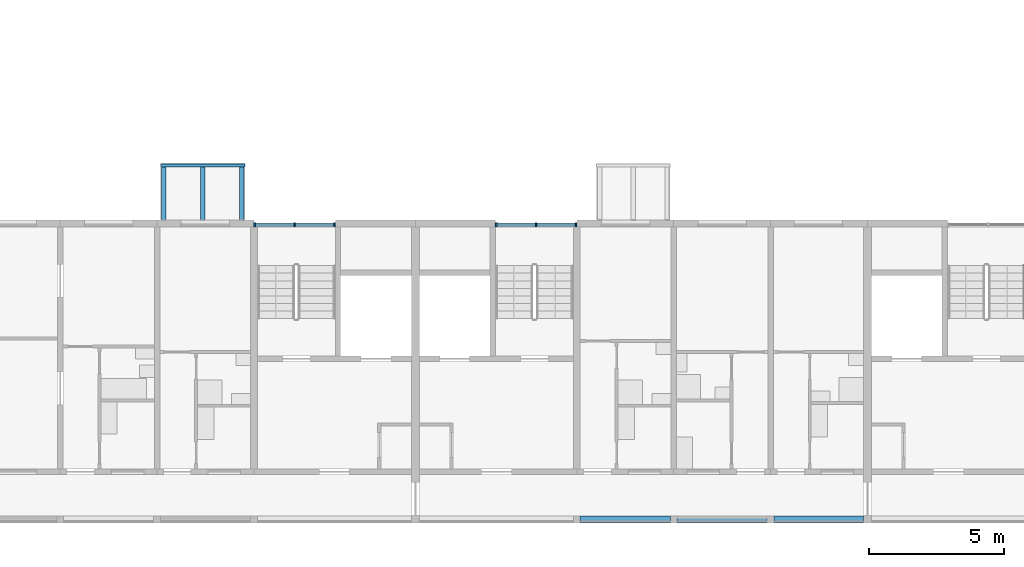
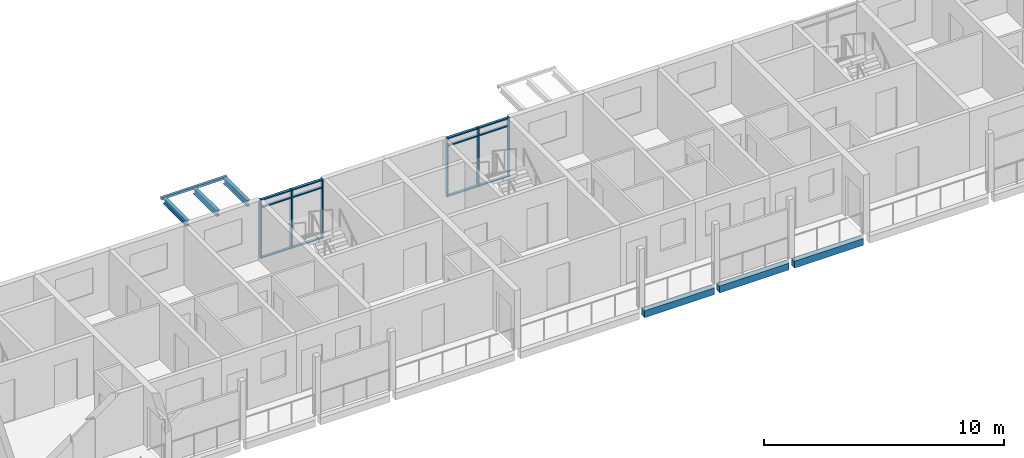
# One storey, part 17 of 94: 18 members, 7 beams, 2 elements without a shape of their own.
"""IFC4 building model written with IfcOpenShell, lengths in metres."""

from ifc_helpers import new_model, si_unit, direction, frame, origin, origin_2d, place, context, subcontext, project, spatial, rectangle, hollow_rectangle, i_section, extrude, material, material_profile, profile_set, type_object, element, aggregate, save


model = new_model("IFC4")

# Units and contexts
model_context = context("Model", 3, precision=1e-05, world=origin(), true_north=direction((0.0, 1.0)))
body_context = subcontext(model_context, "Body", "Model", "MODEL_VIEW")
ifc_project = project(units=[si_unit("LENGTHUNIT", "METRE"), si_unit("AREAUNIT", "SQUARE_METRE"), si_unit("VOLUMEUNIT", "CUBIC_METRE"), si_unit("PLANEANGLEUNIT", "RADIAN"), si_unit("MASSUNIT", "GRAM", prefix="KILO")], contexts=[model_context])

# Site, building, storey
site_placement = place(None, origin())
site = spatial("IfcSite", under=ifc_project, at=site_placement, CompositionType="ELEMENT")
building_placement = place(site_placement, origin())
building = spatial("IfcBuilding", under=site, at=building_placement, Name="Ridgestep Commons", CompositionType="ELEMENT")
storey_placement = place(building_placement, frame((0.0, 0.0, 21.0)))
storey = spatial("IfcBuildingStorey", under=building, at=storey_placement, Name="L07", CompositionType="ELEMENT", Elevation=21.0)

# Beams
ifc_material_1 = material(Name="Precast concrete C40/50", Category="concrete")
ifc_material_profile_1 = material_profile(ifc_material_1, rectangle(XDim=0.25, YDim=0.35009765625, at=origin_2d()), Name="PC 250x350")
ifc_profile_set_1 = profile_set([ifc_material_profile_1], Name="Precast concrete C40/50")
beam_type_1 = type_object("IfcBeamType", Name="Loggia edge beam 250 x 350", PredefinedType="SPANDREL", material=ifc_profile_set_1)
beam_1_placement = place(storey_placement, frame((220.125, 11.875, -0.375), z_axis=(1.0, 0.0, 0.0), x_axis=(0.0, 1.0, 0.0)))
element("IfcBeam", 1, at=beam_1_placement, inside=storey, type_object=beam_type_1, Name="Loggia edge beam D5T3 L07", PredefinedType="SPANDREL", context=body_context, shape_type="SweptSolid", body=[
    extrude(rectangle(XDim=0.25, YDim=0.35009765625, at=origin_2d()), origin(), (0.0, 0.0, 1.0), 3.35009765625),
])
beam_2_placement = place(storey_placement, frame((223.72509765625, 11.875, -0.375), z_axis=(1.0, 0.0, 0.0), x_axis=(0.0, 1.0, 0.0)))
element("IfcBeam", 2, at=beam_2_placement, inside=storey, type_object=beam_type_1, Name="Loggia edge beam D5T2 L07", PredefinedType="SPANDREL", context=body_context, shape_type="SweptSolid", body=[
    extrude(rectangle(XDim=0.25, YDim=0.35009765625, at=origin_2d()), origin(), (0.0, 0.0, 1.0), 3.349853515625),
])
beam_3_placement = place(storey_placement, frame((227.324951171875, 11.875, -0.375), z_axis=(1.0, 0.0, 0.0), x_axis=(0.0, 1.0, 0.0)))
element("IfcBeam", 3, at=beam_3_placement, inside=storey, type_object=beam_type_1, Name="Loggia edge beam D5T1 L07", PredefinedType="SPANDREL", context=body_context, shape_type="SweptSolid", body=[
    extrude(rectangle(XDim=0.25, YDim=0.35009765625, at=origin_2d()), origin(), (0.0, 0.0, 1.0), 3.324951171875),
])

# Curtain wall, members
ifc_material_2 = material(Name="Aluminium 6063-T6 and glass", Category="aluminium")
curtain_wall_type = type_object("IfcCurtainWallType", Name="Curtain wall stair strip", PredefinedType="NOTDEFINED", material=ifc_material_2)
curtain_wall_1_placement = place(storey_placement, origin())
curtain_wall_1 = element("IfcCurtainWall", 4, at=curtain_wall_1_placement, inside=storey, type_object=curtain_wall_type, Name="Curtain wall D4C level 07", PredefinedType="NOTDEFINED")
ifc_material_3 = material(Name="Aluminium 6063-T6", Category="aluminium")
ifc_material_profile_2 = material_profile(ifc_material_3, rectangle(XDim=0.159912109375, YDim=0.06005859375, at=origin_2d()), Name="Mullion 60 x 160")
ifc_profile_set_2 = profile_set([ifc_material_profile_2], Name="Aluminium 6063-T6")
member_type_1 = type_object("IfcMemberType", Name="Mullion 60 x 160", PredefinedType="MULLION", material=ifc_profile_set_2)
member_1_placement = place(storey_placement, frame((208.030029296875, 22.830078125, 0.0), z_axis=(0.0, 0.0, 1.0), x_axis=(0.0, 1.0, 0.0)))
member_1 = element("IfcMember", 5, at=member_1_placement, type_object=member_type_1, Name="CW1 mullion 1", PredefinedType="MULLION", context=body_context, shape_type="SweptSolid", body=[
    extrude(rectangle(XDim=0.159912109375, YDim=0.06005859375, at=origin_2d()), origin(), (0.0, 0.0, 1.0), 3.0),
])
member_2_placement = place(storey_placement, frame((209.512451171875, 22.830078125, 0.0), z_axis=(0.0, 0.0, 1.0), x_axis=(0.0, 1.0, 0.0)))
member_2 = element("IfcMember", 6, at=member_2_placement, type_object=member_type_1, Name="CW1 mullion 2", PredefinedType="MULLION", context=body_context, shape_type="SweptSolid", body=[
    extrude(rectangle(XDim=0.159912109375, YDim=0.06005859375, at=origin_2d()), origin(), (0.0, 0.0, 1.0), 3.0),
])
member_3_placement = place(storey_placement, frame((210.9951171875, 22.830078125, 0.0), z_axis=(0.0, 0.0, 1.0), x_axis=(0.0, 1.0, 0.0)))
member_3 = element("IfcMember", 7, at=member_3_placement, type_object=member_type_1, Name="CW1 mullion 3", PredefinedType="MULLION", context=body_context, shape_type="SweptSolid", body=[
    extrude(rectangle(XDim=0.159912109375, YDim=0.06005859375, at=origin_2d()), origin(), (0.0, 0.0, 1.0), 3.0),
])

curtain_wall_2_placement = place(storey_placement, origin())
curtain_wall_2 = element("IfcCurtainWall", 8, at=curtain_wall_2_placement, inside=storey, type_object=curtain_wall_type, Name="Curtain wall D5C level 07", PredefinedType="NOTDEFINED")
member_4_placement = place(storey_placement, frame((217.0048828125, 22.830078125, 0.0), z_axis=(0.0, 0.0, 1.0), x_axis=(0.0, 1.0, 0.0)))
member_4 = element("IfcMember", 9, at=member_4_placement, type_object=member_type_1, Name="CW1 mullion 1", PredefinedType="MULLION", context=body_context, shape_type="SweptSolid", body=[
    extrude(rectangle(XDim=0.159912109375, YDim=0.06005859375, at=origin_2d()), origin(), (0.0, 0.0, 1.0), 3.0),
])
member_5_placement = place(storey_placement, frame((218.487548828125, 22.830078125, 0.0), z_axis=(0.0, 0.0, 1.0), x_axis=(0.0, 1.0, 0.0)))
member_5 = element("IfcMember", 10, at=member_5_placement, type_object=member_type_1, Name="CW1 mullion 2", PredefinedType="MULLION", context=body_context, shape_type="SweptSolid", body=[
    extrude(rectangle(XDim=0.159912109375, YDim=0.06005859375, at=origin_2d()), origin(), (0.0, 0.0, 1.0), 3.0),
])
member_6_placement = place(storey_placement, frame((219.969970703125, 22.830078125, 0.0), z_axis=(0.0, 0.0, 1.0), x_axis=(0.0, 1.0, 0.0)))
member_6 = element("IfcMember", 11, at=member_6_placement, type_object=member_type_1, Name="CW1 mullion 3", PredefinedType="MULLION", context=body_context, shape_type="SweptSolid", body=[
    extrude(rectangle(XDim=0.159912109375, YDim=0.06005859375, at=origin_2d()), origin(), (0.0, 0.0, 1.0), 3.0),
])

# Member
ifc_material_4 = material(Name="Aluminium 6063-T6", Category="aluminium")
ifc_material_profile_3 = material_profile(ifc_material_4, rectangle(XDim=0.1201171875, YDim=0.06005859375, at=origin_2d()), Name="Transom 60 x 120")
ifc_profile_set_3 = profile_set([ifc_material_profile_3], Name="Aluminium 6063-T6")
member_type_2 = type_object("IfcMemberType", Name="Transom 60 x 120", PredefinedType="USERDEFINED", material=ifc_profile_set_3)
member_7_placement = place(storey_placement, frame((208.06005859375, 22.830078125, 0.030029296875), z_axis=(1.0, 0.0, 0.0), x_axis=(0.0, 1.0, 0.0)))
member_7 = element("IfcMember", 12, at=member_7_placement, type_object=member_type_2, Name="CW1 transom 1.1", ObjectType="TRANSOM", PredefinedType="USERDEFINED", context=body_context, shape_type="SweptSolid", body=[
    extrude(rectangle(XDim=0.1201171875, YDim=0.06005859375, at=origin_2d()), origin(), (0.0, 0.0, 1.0), 1.42236328125),
])

member_8_placement = place(storey_placement, frame((208.06005859375, 22.830078125, 2.590087890625), z_axis=(1.0, 0.0, 0.0), x_axis=(0.0, 1.0, 0.0)))
member_8 = element("IfcMember", 13, at=member_8_placement, type_object=member_type_2, Name="CW1 transom 1.2", ObjectType="TRANSOM", PredefinedType="USERDEFINED", context=body_context, shape_type="SweptSolid", body=[
    extrude(rectangle(XDim=0.1201171875, YDim=0.06005859375, at=origin_2d()), origin(), (0.0, 0.0, 1.0), 1.42236328125),
])

member_9_placement = place(storey_placement, frame((208.06005859375, 22.830078125, 2.969970703125), z_axis=(1.0, 0.0, 0.0), x_axis=(0.0, 1.0, 0.0)))
member_9 = element("IfcMember", 14, at=member_9_placement, type_object=member_type_2, Name="CW1 transom 1.3", ObjectType="TRANSOM", PredefinedType="USERDEFINED", context=body_context, shape_type="SweptSolid", body=[
    extrude(rectangle(XDim=0.1201171875, YDim=0.06005859375, at=origin_2d()), origin(), (0.0, 0.0, 1.0), 1.42236328125),
])

member_10_placement = place(storey_placement, frame((209.54248046875, 22.830078125, 0.030029296875), z_axis=(1.0, 0.0, 0.0), x_axis=(0.0, 1.0, 0.0)))
member_10 = element("IfcMember", 15, at=member_10_placement, type_object=member_type_2, Name="CW1 transom 2.1", ObjectType="TRANSOM", PredefinedType="USERDEFINED", context=body_context, shape_type="SweptSolid", body=[
    extrude(rectangle(XDim=0.1201171875, YDim=0.06005859375, at=origin_2d()), origin(), (0.0, 0.0, 1.0), 1.422607421875),
])

member_11_placement = place(storey_placement, frame((209.54248046875, 22.830078125, 2.590087890625), z_axis=(1.0, 0.0, 0.0), x_axis=(0.0, 1.0, 0.0)))
member_11 = element("IfcMember", 16, at=member_11_placement, type_object=member_type_2, Name="CW1 transom 2.2", ObjectType="TRANSOM", PredefinedType="USERDEFINED", context=body_context, shape_type="SweptSolid", body=[
    extrude(rectangle(XDim=0.1201171875, YDim=0.06005859375, at=origin_2d()), origin(), (0.0, 0.0, 1.0), 1.422607421875),
])

member_12_placement = place(storey_placement, frame((209.54248046875, 22.830078125, 2.969970703125), z_axis=(1.0, 0.0, 0.0), x_axis=(0.0, 1.0, 0.0)))
member_12 = element("IfcMember", 17, at=member_12_placement, type_object=member_type_2, Name="CW1 transom 2.3", ObjectType="TRANSOM", PredefinedType="USERDEFINED", context=body_context, shape_type="SweptSolid", body=[
    extrude(rectangle(XDim=0.1201171875, YDim=0.06005859375, at=origin_2d()), origin(), (0.0, 0.0, 1.0), 1.422607421875),
])

aggregate(curtain_wall_1, [member_1, member_2, member_3, member_7, member_8, member_9, member_10, member_11, member_12])

member_13_placement = place(storey_placement, frame((217.034912109375, 22.830078125, 0.030029296875), z_axis=(1.0, 0.0, 0.0), x_axis=(0.0, 1.0, 0.0)))
member_13 = element("IfcMember", 18, at=member_13_placement, type_object=member_type_2, Name="CW1 transom 1.1", ObjectType="TRANSOM", PredefinedType="USERDEFINED", context=body_context, shape_type="SweptSolid", body=[
    extrude(rectangle(XDim=0.1201171875, YDim=0.06005859375, at=origin_2d()), origin(), (0.0, 0.0, 1.0), 1.422607421875),
])

member_14_placement = place(storey_placement, frame((217.034912109375, 22.830078125, 2.590087890625), z_axis=(1.0, 0.0, 0.0), x_axis=(0.0, 1.0, 0.0)))
member_14 = element("IfcMember", 19, at=member_14_placement, type_object=member_type_2, Name="CW1 transom 1.2", ObjectType="TRANSOM", PredefinedType="USERDEFINED", context=body_context, shape_type="SweptSolid", body=[
    extrude(rectangle(XDim=0.1201171875, YDim=0.06005859375, at=origin_2d()), origin(), (0.0, 0.0, 1.0), 1.422607421875),
])

member_15_placement = place(storey_placement, frame((217.034912109375, 22.830078125, 2.969970703125), z_axis=(1.0, 0.0, 0.0), x_axis=(0.0, 1.0, 0.0)))
member_15 = element("IfcMember", 20, at=member_15_placement, type_object=member_type_2, Name="CW1 transom 1.3", ObjectType="TRANSOM", PredefinedType="USERDEFINED", context=body_context, shape_type="SweptSolid", body=[
    extrude(rectangle(XDim=0.1201171875, YDim=0.06005859375, at=origin_2d()), origin(), (0.0, 0.0, 1.0), 1.422607421875),
])

member_16_placement = place(storey_placement, frame((218.517578125, 22.830078125, 0.030029296875), z_axis=(1.0, 0.0, 0.0), x_axis=(0.0, 1.0, 0.0)))
member_16 = element("IfcMember", 21, at=member_16_placement, type_object=member_type_2, Name="CW1 transom 2.1", ObjectType="TRANSOM", PredefinedType="USERDEFINED", context=body_context, shape_type="SweptSolid", body=[
    extrude(rectangle(XDim=0.1201171875, YDim=0.06005859375, at=origin_2d()), origin(), (0.0, 0.0, 1.0), 1.42236328125),
])

member_17_placement = place(storey_placement, frame((218.517578125, 22.830078125, 2.590087890625), z_axis=(1.0, 0.0, 0.0), x_axis=(0.0, 1.0, 0.0)))
member_17 = element("IfcMember", 22, at=member_17_placement, type_object=member_type_2, Name="CW1 transom 2.2", ObjectType="TRANSOM", PredefinedType="USERDEFINED", context=body_context, shape_type="SweptSolid", body=[
    extrude(rectangle(XDim=0.1201171875, YDim=0.06005859375, at=origin_2d()), origin(), (0.0, 0.0, 1.0), 1.42236328125),
])

member_18_placement = place(storey_placement, frame((218.517578125, 22.830078125, 2.969970703125), z_axis=(1.0, 0.0, 0.0), x_axis=(0.0, 1.0, 0.0)))
member_18 = element("IfcMember", 23, at=member_18_placement, type_object=member_type_2, Name="CW1 transom 2.3", ObjectType="TRANSOM", PredefinedType="USERDEFINED", context=body_context, shape_type="SweptSolid", body=[
    extrude(rectangle(XDim=0.1201171875, YDim=0.06005859375, at=origin_2d()), origin(), (0.0, 0.0, 1.0), 1.42236328125),
])

aggregate(curtain_wall_2, [member_4, member_5, member_6, member_13, member_14, member_15, member_16, member_17, member_18])

# Beams
ifc_material_5 = material(Name="Weathering steel S355J2W", Category="steel")
ifc_material_profile_4 = material_profile(ifc_material_5, i_section(OverallWidth=0.1650390625, OverallDepth=0.303466796875, WebThickness=0.006103515625, FlangeThickness=0.01025390625, FilletRadius=0.0087890625, at=origin_2d()), Name="UB 305x165x40")
ifc_profile_set_4 = profile_set([ifc_material_profile_4], Name="Weathering steel S355J2W")
beam_type_2 = type_object("IfcBeamType", Name="Tray arm UB 305x165x40", PredefinedType="BEAM", material=ifc_profile_set_4)
for number, where, z_axis, x_axis, name in (
    (24, (204.64990234375, 23.014892578125, 2.83837890625), (0.0, 1.0, 0.0), (-1.0, 0.0, 0.0), "Tray arm D4T3-08.1"),
    (25, (206.10009765625, 23.014892578125, 2.83837890625), (0.0, 1.0, 0.0), (-1.0, 0.0, 0.0), "Tray arm D4T3-08.2"),
    (26, (207.550048828125, 23.014892578125, 2.83837890625), (0.0, 1.0, 0.0), (-1.0, 0.0, 0.0), "Tray arm D4T3-08.3"),
):
    element("IfcBeam", number, at=place(storey_placement, frame(where, z_axis=z_axis, x_axis=x_axis)), inside=storey, type_object=beam_type_2, Name=name, PredefinedType="BEAM", context=body_context, shape_type="SweptSolid", body=[
        extrude(i_section(OverallWidth=0.1650390625, OverallDepth=0.303466796875, WebThickness=0.006103515625, FlangeThickness=0.01025390625, FilletRadius=0.0087890625, at=origin_2d()), origin(), (0.0, 0.0, 1.0), 1.965087890625),
    ])
ifc_material_6 = material(Name="Weathering steel S355J2W", Category="steel")
ifc_material_profile_5 = material_profile(ifc_material_6, hollow_rectangle(XDim=0.1201171875, YDim=0.1201171875, WallThickness=0.00634765625, InnerFilletRadius=0.00634765625, OuterFilletRadius=0.009521484375, at=origin_2d()), Name="SHS 120x120x6.3")
ifc_profile_set_5 = profile_set([ifc_material_profile_5], Name="Weathering steel S355J2W")
beam_type_3 = type_object("IfcBeamType", Name="Tray edge member SHS 120x120x6.3", PredefinedType="BEAM", material=ifc_profile_set_5)
beam_4_placement = place(storey_placement, frame((204.530029296875, 25.0400390625, 2.929931640625), z_axis=(1.0, 0.0, 0.0), x_axis=(0.0, 0.0, 1.0)))
element("IfcBeam", 27, at=beam_4_placement, inside=storey, type_object=beam_type_3, Name="Tray edge member D4T3-08", PredefinedType="BEAM", context=body_context, shape_type="SweptSolid", body=[
    extrude(hollow_rectangle(XDim=0.1201171875, YDim=0.1201171875, WallThickness=0.00634765625, InnerFilletRadius=0.00634765625, OuterFilletRadius=0.009521484375, at=origin_2d()), origin(), (0.0, 0.0, 1.0), 3.139892578125),
])

save(model, "model.ifc")
